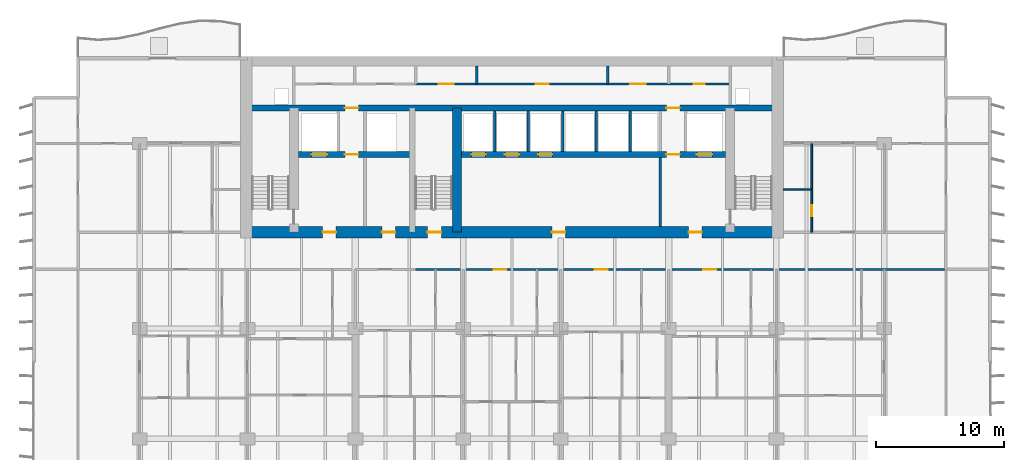
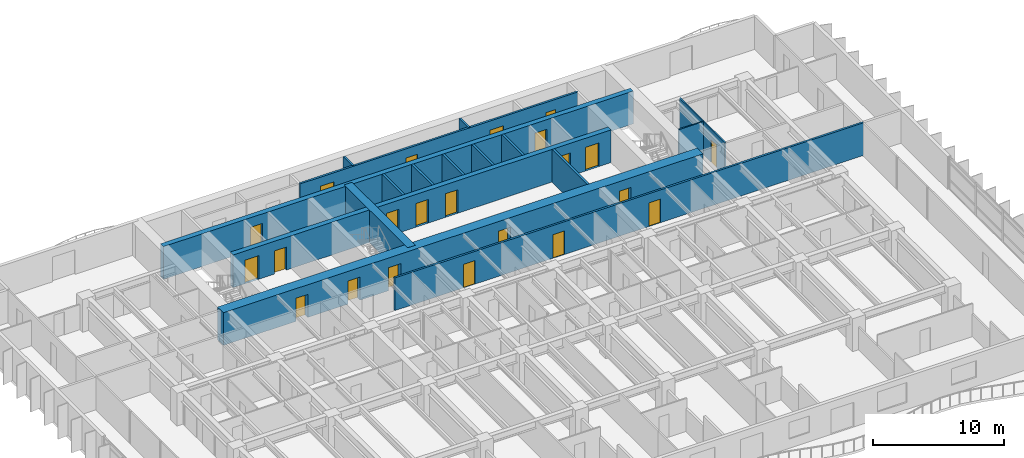
# One storey, part 11 of 18: 22 doors, 16 walls, 22 openings.
"""IFC4 building model written with IfcOpenShell, lengths in metres."""

from ifc_helpers import new_model, si_unit, direction, frame, frame_2d, origin, place, context, subcontext, project, spatial, rectangle, extrude, material, layer, layer_set, type_object, element, fill, save


model = new_model("IFC4")

# Units and contexts
model_context = context("Model", 3, precision=1e-05, world=origin(), true_north=direction((0.0, 1.0)))
body_context = subcontext(model_context, "Body", "Model", "MODEL_VIEW")
ifc_project = project(units=[si_unit("LENGTHUNIT", "METRE"), si_unit("AREAUNIT", "SQUARE_METRE"), si_unit("VOLUMEUNIT", "CUBIC_METRE"), si_unit("PLANEANGLEUNIT", "RADIAN"), si_unit("MASSUNIT", "GRAM", prefix="KILO")], contexts=[model_context])

# Site, building, storey
site_placement = place(None, origin())
site = spatial("IfcSite", under=ifc_project, at=site_placement, CompositionType="ELEMENT")
building_placement = place(site_placement, origin())
building = spatial("IfcBuilding", under=site, at=building_placement, Name="Caelmar Bay Residences", CompositionType="ELEMENT")
storey_placement = place(building_placement, frame((0.0, 0.0, 43.199951171875)))
storey = spatial("IfcBuildingStorey", under=building, at=storey_placement, Name="L10", CompositionType="ELEMENT", Elevation=43.199951171875)

# Wall
ifc_material_1 = material(Name="Concrete f'c 55 MPa (8,000 psi)", Category="concrete")
ifc_layer_1 = layer(ifc_material_1, 0.699951171875)
ifc_layer_set_1 = layer_set([ifc_layer_1], Name="Concrete f'c 55 MPa (8,000 psi)")
wall_type_1 = type_object("IfcWallType", Name="SW-COR-700", PredefinedType="SHEAR", material=ifc_layer_set_1)
wall_1_placement = place(storey_placement, frame((34.60009765625, 36.89990234375, 0.0), z_axis=(0.0, 0.0, 1.0), x_axis=(0.0, 1.0, 0.0)))
element("IfcWall", 1, at=wall_1_placement, inside=storey, type_object=wall_type_1, Name="L10 Core Structural Web Wall ST3E", PredefinedType="SHEAR", context=body_context, shape_type="SweptSolid", body=[
    extrude(rectangle(XDim=9.675048828125, YDim=0.699951171875, at=frame_2d((4.83740234375, 0.0))), origin(), (0.0, 0.0, 1.0), 3.050048828125),
])

# Wall, openings, doors
ifc_material_2 = material(Name="Concrete f'c 70 MPa (10,000 psi)", Category="concrete")
ifc_layer_2 = layer(ifc_material_2, 0.89990234375)
ifc_layer_set_2 = layer_set([ifc_layer_2], Name="Concrete f'c 70 MPa (10,000 psi)")
wall_type_2 = type_object("IfcWallType", Name="SW-COR-900", PredefinedType="SHEAR", material=ifc_layer_set_2)
wall_2_placement = place(storey_placement, frame((17.75, 36.89990234375, 0.0), z_axis=(0.0, 0.0, 1.0), x_axis=(1.0, 0.0, 0.0)))
wall_2 = element("IfcWall", 2, at=wall_2_placement, inside=storey, type_object=wall_type_2, Name="L10 Rear Core South Shear Wall", PredefinedType="SHEAR", context=body_context, shape_type="SweptSolid", body=[
    extrude(rectangle(XDim=42.300048828125, YDim=0.89990234375, at=frame_2d((21.14990234375, 0.0))), origin(), (0.0, 0.0, 1.0), 3.050048828125),
])
opening_1_placement = place(wall_2_placement, frame((14.550048828125, 0.0, 0.0)))
opening_1 = element("IfcOpeningElement", 3, at=opening_1_placement, cuts=wall_2, Name="Opening D-L10-106", PredefinedType="OPENING", context=body_context, shape_type="SweptSolid", body=[
    extrude(rectangle(XDim=1.10009765625, YDim=2.14990234375, at=frame_2d((0.550048828125, 1.074951171875))), frame((0.0, 0.4599609375, 0.0), z_axis=(0.0, -1.0, 0.0), x_axis=(1.0, 0.0, 0.0)), (0.0, 0.0, 1.0), 0.919921875),
])
opening_2_placement = place(wall_2_placement, frame((6.39990234375, 0.0, 0.0)))
opening_2 = element("IfcOpeningElement", 4, at=opening_2_placement, cuts=wall_2, Name="Opening D-L10-107", PredefinedType="OPENING", context=body_context, shape_type="SweptSolid", body=[
    extrude(rectangle(XDim=1.050048828125, YDim=2.14990234375, at=frame_2d((0.52490234375, 1.074951171875))), frame((0.0, 0.4599609375, 0.0), z_axis=(0.0, -1.0, 0.0), x_axis=(1.0, 0.0, 0.0)), (0.0, 0.0, 1.0), 0.919921875),
])
opening_3_placement = place(wall_2_placement, frame((34.89990234375, 0.0, 0.0)))
opening_3 = element("IfcOpeningElement", 5, at=opening_3_placement, cuts=wall_2, Name="Opening D-L10-110", PredefinedType="OPENING", context=body_context, shape_type="SweptSolid", body=[
    extrude(rectangle(XDim=1.050048828125, YDim=2.14990234375, at=frame_2d((0.52490234375, 1.074951171875))), frame((0.0, 0.4599609375, 0.0), z_axis=(0.0, -1.0, 0.0), x_axis=(1.0, 0.0, 0.0)), (0.0, 0.0, 1.0), 0.919921875),
])
opening_4_placement = place(wall_2_placement, frame((11.012451171875, 0.0, 0.0)))
opening_4 = element("IfcOpeningElement", 6, at=opening_4_placement, cuts=wall_2, Name="Opening D-L10-113", PredefinedType="OPENING", context=body_context, shape_type="SweptSolid", body=[
    extrude(rectangle(XDim=1.050048828125, YDim=2.14990234375, at=frame_2d((0.52490234375, 1.074951171875))), frame((0.0, 0.4599609375, 0.0), z_axis=(0.0, -1.0, 0.0), x_axis=(1.0, 0.0, 0.0)), (0.0, 0.0, 1.0), 0.919921875),
])
opening_5_placement = place(wall_2_placement, frame((24.25, 0.0, 0.0)))
opening_5 = element("IfcOpeningElement", 7, at=opening_5_placement, cuts=wall_2, Name="Opening D-L10-114", PredefinedType="OPENING", context=body_context, shape_type="SweptSolid", body=[
    extrude(rectangle(XDim=1.050048828125, YDim=2.14990234375, at=frame_2d((0.52490234375, 1.074951171875))), frame((0.0, 0.4599609375, 0.0), z_axis=(0.0, -1.0, 0.0), x_axis=(1.0, 0.0, 0.0)), (0.0, 0.0, 1.0), 0.919921875),
])
ifc_material_3 = material(Name="Fire-rated steel and walnut architectural door assembly", Category="steel")
ifc_layer_3 = layer(ifc_material_3, 0.050048828125)
ifc_layer_set_3 = layer_set([ifc_layer_3], Name="Fire-rated steel and walnut architectural door assembly")
door_type_1 = type_object("IfcDoorType", Name="D-FSAE-1050", OperationType="NOTDEFINED", PredefinedType="DOOR", material=ifc_layer_set_3)
door_1_placement = place(opening_2_placement, origin())
door_1 = element("IfcDoor", 8, at=door_1_placement, inside=storey, type_object=door_type_1, Name="L10 Firefighting Lobby West Door", OperationType="SINGLE_SWING_RIGHT", OverallHeight=2.14990234375, OverallWidth=1.050048828125, PredefinedType="DOOR", context=body_context, shape_type="SweptSolid", body=[
    extrude(rectangle(XDim=1.050048828125, YDim=2.14990234375, at=frame_2d((0.52490234375, 1.074951171875))), frame((0.0, 0.02490234375, 0.0), z_axis=(0.0, -1.0, 0.0), x_axis=(1.0, 0.0, 0.0)), (0.0, 0.0, 1.0), 0.050048828125),
])
fill(opening_2, door_1)
door_2_placement = place(opening_3_placement, origin())
door_2 = element("IfcDoor", 9, at=door_2_placement, inside=storey, type_object=door_type_1, Name="L10 Firefighting Lobby East Door", OperationType="SINGLE_SWING_LEFT", OverallHeight=2.14990234375, OverallWidth=1.050048828125, PredefinedType="DOOR", context=body_context, shape_type="SweptSolid", body=[
    extrude(rectangle(XDim=1.050048828125, YDim=2.14990234375, at=frame_2d((0.52490234375, 1.074951171875))), frame((0.0, 0.02490234375, 0.0), z_axis=(0.0, -1.0, 0.0), x_axis=(1.0, 0.0, 0.0)), (0.0, 0.0, 1.0), 0.050048828125),
])
fill(opening_3, door_2)
door_3_placement = place(opening_4_placement, origin())
door_3 = element("IfcDoor", 10, at=door_3_placement, inside=storey, type_object=door_type_1, Name="L10 West Lift Lobby Door", OperationType="SINGLE_SWING_RIGHT", OverallHeight=2.14990234375, OverallWidth=1.050048828125, PredefinedType="DOOR", context=body_context, shape_type="SweptSolid", body=[
    extrude(rectangle(XDim=1.050048828125, YDim=2.14990234375, at=frame_2d((0.52490234375, 1.074951171875))), frame((0.0, 0.02490234375, 0.0), z_axis=(0.0, -1.0, 0.0), x_axis=(1.0, 0.0, 0.0)), (0.0, 0.0, 1.0), 0.050048828125),
])
fill(opening_4, door_3)
door_4_placement = place(opening_5_placement, origin())
door_4 = element("IfcDoor", 11, at=door_4_placement, inside=storey, type_object=door_type_1, Name="L10 Passenger Lift Lobby Door", OperationType="SINGLE_SWING_LEFT", OverallHeight=2.14990234375, OverallWidth=1.050048828125, PredefinedType="DOOR", context=body_context, shape_type="SweptSolid", body=[
    extrude(rectangle(XDim=1.050048828125, YDim=2.14990234375, at=frame_2d((0.52490234375, 1.074951171875))), frame((0.0, 0.02490234375, 0.0), z_axis=(0.0, -1.0, 0.0), x_axis=(1.0, 0.0, 0.0)), (0.0, 0.0, 1.0), 0.050048828125),
])
fill(opening_5, door_4)
ifc_layer_4 = layer(ifc_material_3, 0.050048828125)
ifc_layer_set_4 = layer_set([ifc_layer_4], Name="Fire-rated steel and walnut architectural door assembly")
door_type_2 = type_object("IfcDoorType", Name="D-STAIR-1100", OperationType="NOTDEFINED", PredefinedType="DOOR", material=ifc_layer_set_4)
door_5_placement = place(opening_1_placement, origin())
door_5 = element("IfcDoor", 12, at=door_5_placement, inside=storey, type_object=door_type_2, Name="L10 Exit Stair ST3 Door", OperationType="SINGLE_SWING_LEFT", OverallHeight=2.14990234375, OverallWidth=1.10009765625, PredefinedType="DOOR", context=body_context, shape_type="SweptSolid", body=[
    extrude(rectangle(XDim=1.10009765625, YDim=2.14990234375, at=frame_2d((0.550048828125, 1.074951171875))), frame((0.0, 0.02490234375, 0.0), z_axis=(0.0, -1.0, 0.0), x_axis=(1.0, 0.0, 0.0)), (0.0, 0.0, 1.0), 0.050048828125),
])
fill(opening_1, door_5)

ifc_layer_5 = layer(ifc_material_2, 0.449951171875)
ifc_layer_set_5 = layer_set([ifc_layer_5], Name="Concrete f'c 70 MPa (10,000 psi)")
wall_type_3 = type_object("IfcWallType", Name="SW-WEB-450", PredefinedType="SHEAR", material=ifc_layer_set_5)
wall_3_placement = place(storey_placement, frame((22.25, 42.949951171875, 0.0), z_axis=(0.0, 0.0, 1.0), x_axis=(1.0, 0.0, 0.0)))
wall_3 = element("IfcWall", 13, at=wall_3_placement, inside=storey, type_object=wall_type_3, Name="L10 Core Structural Web Wall LFR", PredefinedType="SHEAR", context=body_context, shape_type="SweptSolid", body=[
    extrude(rectangle(XDim=33.300048828125, YDim=0.449951171875, at=frame_2d((16.64990234375, 0.0))), origin(), (0.0, 0.0, 1.0), 3.050048828125),
])
opening_6_placement = place(wall_3_placement, frame((1.050048828125, 0.0, 0.0)))
opening_6 = element("IfcOpeningElement", 14, at=opening_6_placement, cuts=wall_3, Name="Opening LD2", PredefinedType="OPENING", context=body_context, shape_type="SweptSolid", body=[
    extrude(rectangle(XDim=1.199951171875, YDim=2.199951171875, at=frame_2d((0.60009765625, 1.10009765625))), frame((0.0, 0.23486328125, 0.0), z_axis=(0.0, -1.0, 0.0), x_axis=(1.0, 0.0, 0.0)), (0.0, 0.0, 1.0), 0.469970703125),
])
opening_7_placement = place(wall_3_placement, frame((31.050048828125, 0.0, 0.0)))
opening_7 = element("IfcOpeningElement", 15, at=opening_7_placement, cuts=wall_3, Name="Opening LD2", PredefinedType="OPENING", context=body_context, shape_type="SweptSolid", body=[
    extrude(rectangle(XDim=1.199951171875, YDim=2.199951171875, at=frame_2d((0.60009765625, 1.10009765625))), frame((0.0, 0.23486328125, 0.0), z_axis=(0.0, -1.0, 0.0), x_axis=(1.0, 0.0, 0.0)), (0.0, 0.0, 1.0), 0.469970703125),
])
opening_8_placement = place(wall_3_placement, frame((13.5, 0.0, 0.0)))
opening_8 = element("IfcOpeningElement", 16, at=opening_8_placement, cuts=wall_3, Name="Opening LD1", PredefinedType="OPENING", context=body_context, shape_type="SweptSolid", body=[
    extrude(rectangle(XDim=1.10009765625, YDim=2.199951171875, at=frame_2d((0.550048828125, 1.10009765625))), frame((0.0, 0.23486328125, 0.0), z_axis=(0.0, -1.0, 0.0), x_axis=(1.0, 0.0, 0.0)), (0.0, 0.0, 1.0), 0.469970703125),
])
opening_9_placement = place(wall_3_placement, frame((16.10009765625, 0.0, 0.0)))
opening_9 = element("IfcOpeningElement", 17, at=opening_9_placement, cuts=wall_3, Name="Opening LD1", PredefinedType="OPENING", context=body_context, shape_type="SweptSolid", body=[
    extrude(rectangle(XDim=1.10009765625, YDim=2.199951171875, at=frame_2d((0.550048828125, 1.10009765625))), frame((0.0, 0.23486328125, 0.0), z_axis=(0.0, -1.0, 0.0), x_axis=(1.0, 0.0, 0.0)), (0.0, 0.0, 1.0), 0.469970703125),
])
opening_10_placement = place(wall_3_placement, frame((18.699951171875, 0.0, 0.0)))
opening_10 = element("IfcOpeningElement", 18, at=opening_10_placement, cuts=wall_3, Name="Opening LD1", PredefinedType="OPENING", context=body_context, shape_type="SweptSolid", body=[
    extrude(rectangle(XDim=1.10009765625, YDim=2.199951171875, at=frame_2d((0.550048828125, 1.10009765625))), frame((0.0, 0.23486328125, 0.0), z_axis=(0.0, -1.0, 0.0), x_axis=(1.0, 0.0, 0.0)), (0.0, 0.0, 1.0), 0.469970703125),
])
opening_11_placement = place(wall_3_placement, frame((3.625, 0.0, 0.0)))
opening_11 = element("IfcOpeningElement", 19, at=opening_11_placement, cuts=wall_3, Name="Opening D-L10-109", PredefinedType="OPENING", context=body_context, shape_type="SweptSolid", body=[
    extrude(rectangle(XDim=1.050048828125, YDim=2.14990234375, at=frame_2d((0.52490234375, 1.074951171875))), frame((0.0, 0.23486328125, 0.0), z_axis=(0.0, -1.0, 0.0), x_axis=(1.0, 0.0, 0.0)), (0.0, 0.0, 1.0), 0.469970703125),
])
opening_12_placement = place(wall_3_placement, frame((28.675048828125, 0.0, 0.0)))
opening_12 = element("IfcOpeningElement", 20, at=opening_12_placement, cuts=wall_3, Name="Opening D-L10-112", PredefinedType="OPENING", context=body_context, shape_type="SweptSolid", body=[
    extrude(rectangle(XDim=1.050048828125, YDim=2.14990234375, at=frame_2d((0.52490234375, 1.074951171875))), frame((0.0, 0.23486328125, 0.0), z_axis=(0.0, -1.0, 0.0), x_axis=(1.0, 0.0, 0.0)), (0.0, 0.0, 1.0), 0.469970703125),
])
door_6_placement = place(opening_11_placement, origin())
door_6 = element("IfcDoor", 21, at=door_6_placement, inside=storey, type_object=door_type_1, Name="L10 Firefighting Lobby West Door", OperationType="SINGLE_SWING_RIGHT", OverallHeight=2.14990234375, OverallWidth=1.050048828125, PredefinedType="DOOR", context=body_context, shape_type="SweptSolid", body=[
    extrude(rectangle(XDim=1.050048828125, YDim=2.14990234375, at=frame_2d((0.52490234375, 1.074951171875))), frame((0.0, 0.02490234375, 0.0), z_axis=(0.0, -1.0, 0.0), x_axis=(1.0, 0.0, 0.0)), (0.0, 0.0, 1.0), 0.050048828125),
])
fill(opening_11, door_6)
door_7_placement = place(opening_12_placement, origin())
door_7 = element("IfcDoor", 22, at=door_7_placement, inside=storey, type_object=door_type_1, Name="L10 Firefighting Lobby East Door", OperationType="SINGLE_SWING_LEFT", OverallHeight=2.14990234375, OverallWidth=1.050048828125, PredefinedType="DOOR", context=body_context, shape_type="SweptSolid", body=[
    extrude(rectangle(XDim=1.050048828125, YDim=2.14990234375, at=frame_2d((0.52490234375, 1.074951171875))), frame((0.0, 0.02490234375, 0.0), z_axis=(0.0, -1.0, 0.0), x_axis=(1.0, 0.0, 0.0)), (0.0, 0.0, 1.0), 0.050048828125),
])
fill(opening_12, door_7)
ifc_material_4 = material(Name="Brushed bronze stainless-steel fire-rated lift landing doors", Category="steel")
ifc_layer_6 = layer(ifc_material_4, 0.050048828125)
ifc_layer_set_6 = layer_set([ifc_layer_6], Name="Brushed bronze stainless-steel fire-rated lift landing doors")
door_type_3 = type_object("IfcDoorType", Name="D-LND-1100", OperationType="DOUBLE_DOOR_SLIDING", PredefinedType="DOOR", material=ifc_layer_set_6)
door_8_placement = place(opening_8_placement, origin())
door_8 = element("IfcDoor", 23, at=door_8_placement, inside=storey, type_object=door_type_3, Name="L10 LP1 Sliding Landing Door", OperationType="DOUBLE_DOOR_SLIDING", OverallHeight=2.199951171875, OverallWidth=1.10009765625, PredefinedType="DOOR", context=body_context, shape_type="SweptSolid", body=[
    extrude(rectangle(XDim=1.10009765625, YDim=2.199951171875, at=frame_2d((0.550048828125, 1.10009765625))), frame((0.0, 0.02490234375, 0.0), z_axis=(0.0, -1.0, 0.0), x_axis=(1.0, 0.0, 0.0)), (0.0, 0.0, 1.0), 0.050048828125),
])
fill(opening_8, door_8)
door_9_placement = place(opening_9_placement, origin())
door_9 = element("IfcDoor", 24, at=door_9_placement, inside=storey, type_object=door_type_3, Name="L10 LP2 Sliding Landing Door", OperationType="DOUBLE_DOOR_SLIDING", OverallHeight=2.199951171875, OverallWidth=1.10009765625, PredefinedType="DOOR", context=body_context, shape_type="SweptSolid", body=[
    extrude(rectangle(XDim=1.10009765625, YDim=2.199951171875, at=frame_2d((0.550048828125, 1.10009765625))), frame((0.0, 0.02490234375, 0.0), z_axis=(0.0, -1.0, 0.0), x_axis=(1.0, 0.0, 0.0)), (0.0, 0.0, 1.0), 0.050048828125),
])
fill(opening_9, door_9)
door_10_placement = place(opening_10_placement, origin())
door_10 = element("IfcDoor", 25, at=door_10_placement, inside=storey, type_object=door_type_3, Name="L10 LP3 Sliding Landing Door", OperationType="DOUBLE_DOOR_SLIDING", OverallHeight=2.199951171875, OverallWidth=1.10009765625, PredefinedType="DOOR", context=body_context, shape_type="SweptSolid", body=[
    extrude(rectangle(XDim=1.10009765625, YDim=2.199951171875, at=frame_2d((0.550048828125, 1.10009765625))), frame((0.0, 0.02490234375, 0.0), z_axis=(0.0, -1.0, 0.0), x_axis=(1.0, 0.0, 0.0)), (0.0, 0.0, 1.0), 0.050048828125),
])
fill(opening_10, door_10)
ifc_material_5 = material(Name="Brushed stainless-steel FSAE sliding landing door", Category="steel")
ifc_layer_7 = layer(ifc_material_5, 0.050048828125)
ifc_layer_set_7 = layer_set([ifc_layer_7], Name="Brushed stainless-steel FSAE sliding landing door")
door_type_4 = type_object("IfcDoorType", Name="D-LND-1200", OperationType="DOUBLE_DOOR_SLIDING", PredefinedType="DOOR", material=ifc_layer_set_7)
door_11_placement = place(opening_6_placement, origin())
door_11 = element("IfcDoor", 26, at=door_11_placement, inside=storey, type_object=door_type_4, Name="L10 LF1 Sliding Landing Door", OperationType="DOUBLE_DOOR_SLIDING", OverallHeight=2.199951171875, OverallWidth=1.199951171875, PredefinedType="DOOR", context=body_context, shape_type="SweptSolid", body=[
    extrude(rectangle(XDim=1.199951171875, YDim=2.199951171875, at=frame_2d((0.60009765625, 1.10009765625))), frame((0.0, 0.02490234375, 0.0), z_axis=(0.0, -1.0, 0.0), x_axis=(1.0, 0.0, 0.0)), (0.0, 0.0, 1.0), 0.050048828125),
])
fill(opening_6, door_11)
door_12_placement = place(opening_7_placement, origin())
door_12 = element("IfcDoor", 27, at=door_12_placement, inside=storey, type_object=door_type_4, Name="L10 LF2 Sliding Landing Door", OperationType="DOUBLE_DOOR_SLIDING", OverallHeight=2.199951171875, OverallWidth=1.199951171875, PredefinedType="DOOR", context=body_context, shape_type="SweptSolid", body=[
    extrude(rectangle(XDim=1.199951171875, YDim=2.199951171875, at=frame_2d((0.60009765625, 1.10009765625))), frame((0.0, 0.02490234375, 0.0), z_axis=(0.0, -1.0, 0.0), x_axis=(1.0, 0.0, 0.0)), (0.0, 0.0, 1.0), 0.050048828125),
])
fill(opening_7, door_12)

wall_4_placement = place(storey_placement, frame((18.199951171875, 46.574951171875, 0.0), z_axis=(0.0, 0.0, 1.0), x_axis=(1.0, 0.0, 0.0)))
wall_4 = element("IfcWall", 28, at=wall_4_placement, inside=storey, type_object=wall_type_3, Name="L10 Core Structural Web Wall SRVS", PredefinedType="SHEAR", context=body_context, shape_type="SweptSolid", body=[
    extrude(rectangle(XDim=41.400146484375, YDim=0.449951171875, at=frame_2d((20.7001953125, 0.0))), origin(), (0.0, 0.0, 1.0), 3.050048828125),
])
opening_13_placement = place(wall_4_placement, frame((7.675048828125, 0.0, 0.0)))
opening_13 = element("IfcOpeningElement", 29, at=opening_13_placement, cuts=wall_4, Name="Opening D-L10-115", PredefinedType="OPENING", context=body_context, shape_type="SweptSolid", body=[
    extrude(rectangle(XDim=1.050048828125, YDim=2.14990234375, at=frame_2d((0.52490234375, 1.074951171875))), frame((0.0, 0.23486328125, 0.0), z_axis=(0.0, -1.0, 0.0), x_axis=(1.0, 0.0, 0.0)), (0.0, 0.0, 1.0), 0.469970703125),
])
opening_14_placement = place(wall_4_placement, frame((32.72509765625, 0.0, 0.0)))
opening_14 = element("IfcOpeningElement", 30, at=opening_14_placement, cuts=wall_4, Name="Opening D-L10-116", PredefinedType="OPENING", context=body_context, shape_type="SweptSolid", body=[
    extrude(rectangle(XDim=1.050048828125, YDim=2.14990234375, at=frame_2d((0.52490234375, 1.074951171875))), frame((0.0, 0.23486328125, 0.0), z_axis=(0.0, -1.0, 0.0), x_axis=(1.0, 0.0, 0.0)), (0.0, 0.0, 1.0), 0.469970703125),
])
door_13_placement = place(opening_13_placement, origin())
door_13 = element("IfcDoor", 31, at=door_13_placement, inside=storey, type_object=door_type_1, Name="L10 Core Service Corridor Door", OperationType="SINGLE_SWING_RIGHT", OverallHeight=2.14990234375, OverallWidth=1.050048828125, PredefinedType="DOOR", context=body_context, shape_type="SweptSolid", body=[
    extrude(rectangle(XDim=1.050048828125, YDim=2.14990234375, at=frame_2d((0.52490234375, 1.074951171875))), frame((0.0, 0.02490234375, 0.0), z_axis=(0.0, -1.0, 0.0), x_axis=(1.0, 0.0, 0.0)), (0.0, 0.0, 1.0), 0.050048828125),
])
fill(opening_13, door_13)
door_14_placement = place(opening_14_placement, origin())
door_14 = element("IfcDoor", 32, at=door_14_placement, inside=storey, type_object=door_type_1, Name="L10 Core Service Corridor Door", OperationType="SINGLE_SWING_LEFT", OverallHeight=2.14990234375, OverallWidth=1.050048828125, PredefinedType="DOOR", context=body_context, shape_type="SweptSolid", body=[
    extrude(rectangle(XDim=1.050048828125, YDim=2.14990234375, at=frame_2d((0.52490234375, 1.074951171875))), frame((0.0, 0.02490234375, 0.0), z_axis=(0.0, -1.0, 0.0), x_axis=(1.0, 0.0, 0.0)), (0.0, 0.0, 1.0), 0.050048828125),
])
fill(opening_14, door_14)

# Walls
ifc_material_6 = material(Name="Double-stud acoustic fire-rated gypsum partition 180 mm")
ifc_layer_8 = layer(ifc_material_6, 0.179931640625)
ifc_layer_set_8 = layer_set([ifc_layer_8], Name="Double-stud acoustic fire-rated gypsum partition 180 mm")
wall_type_4 = type_object("IfcWallType", Name="W-COR-200", PredefinedType="PARTITIONING", material=ifc_layer_set_8)
for number, where, z_axis, x_axis, name in (
    (33, (36.14990234375, 48.449951171875, 0.0), (0.0, 0.0, 1.0), (0.0, 1.0, 0.0), "L10 Partition Wall V051"),
    (34, (46.35009765625, 48.449951171875, 0.0), (0.0, 0.0, 1.0), (0.0, 1.0, 0.0), "L10 Partition Wall V069"),
):
    element("IfcWall", number, at=place(storey_placement, frame(where, z_axis=z_axis, x_axis=x_axis)), inside=storey, type_object=wall_type_4, Name=name, PredefinedType="PARTITIONING", context=body_context, shape_type="SweptSolid", body=[
        extrude(rectangle(XDim=1.405029296875, YDim=0.179931640625, at=frame_2d((0.70263671875, 0.0))), origin(), (0.0, 0.0, 1.0), 3.050048828125),
    ])

# Wall, openings, doors
wall_5_placement = place(storey_placement, frame((31.39990234375, 34.0, 0.0), z_axis=(0.0, 0.0, 1.0), x_axis=(1.0, 0.0, 0.0)))
wall_5 = element("IfcWall", 35, at=wall_5_placement, inside=storey, type_object=wall_type_4, Name="L10 Partition Wall H137", PredefinedType="PARTITIONING", context=body_context, shape_type="SweptSolid", body=[
    extrude(rectangle(XDim=41.300048828125, YDim=0.179931640625, at=frame_2d((20.64990234375, 0.0))), origin(), (0.0, 0.0, 1.0), 3.050048828125),
])
opening_15_placement = place(wall_5_placement, frame((6.070068359375, 0.0, 0.0)))
opening_15 = element("IfcOpeningElement", 36, at=opening_15_placement, cuts=wall_5, Name="Opening D-L10-141", PredefinedType="OPENING", context=body_context, shape_type="SweptSolid", body=[
    extrude(rectangle(XDim=1.0, YDim=2.199951171875, at=frame_2d((0.5, 1.10009765625))), frame((0.0, 0.099853515625, 0.0), z_axis=(0.0, -1.0, 0.0), x_axis=(1.0, 0.0, 0.0)), (0.0, 0.0, 1.0), 0.199951171875),
])
opening_16_placement = place(wall_5_placement, frame((13.944580078125, 0.0, 0.0)))
opening_16 = element("IfcOpeningElement", 37, at=opening_16_placement, cuts=wall_5, Name="Opening D-L10-148", PredefinedType="OPENING", context=body_context, shape_type="SweptSolid", body=[
    extrude(rectangle(XDim=1.0, YDim=2.199951171875, at=frame_2d((0.5, 1.10009765625))), frame((0.0, 0.099853515625, 0.0), z_axis=(0.0, -1.0, 0.0), x_axis=(1.0, 0.0, 0.0)), (0.0, 0.0, 1.0), 0.199951171875),
])
opening_17_placement = place(wall_5_placement, frame((22.41357421875, 0.0, 0.0)))
opening_17 = element("IfcOpeningElement", 38, at=opening_17_placement, cuts=wall_5, Name="Opening D-L10-155", PredefinedType="OPENING", context=body_context, shape_type="SweptSolid", body=[
    extrude(rectangle(XDim=1.0, YDim=2.199951171875, at=frame_2d((0.5, 1.10009765625))), frame((0.0, 0.099853515625, 0.0), z_axis=(0.0, -1.0, 0.0), x_axis=(1.0, 0.0, 0.0)), (0.0, 0.0, 1.0), 0.199951171875),
])
ifc_layer_9 = layer(ifc_material_3, 0.050048828125)
ifc_layer_set_9 = layer_set([ifc_layer_9], Name="Fire-rated steel and walnut architectural door assembly")
door_type_5 = type_object("IfcDoorType", Name="D-UNIT-1000", OperationType="NOTDEFINED", PredefinedType="DOOR", material=ifc_layer_set_9)
door_15_placement = place(opening_15_placement, origin())
door_15 = element("IfcDoor", 39, at=door_15_placement, inside=storey, type_object=door_type_5, Name="L10 Residence 03 Apartment Hall Door", OperationType="SINGLE_SWING_RIGHT", OverallHeight=2.199951171875, OverallWidth=1.0, PredefinedType="DOOR", context=body_context, shape_type="SweptSolid", body=[
    extrude(rectangle(XDim=1.0, YDim=2.199951171875, at=frame_2d((0.5, 1.10009765625))), frame((0.0, 0.02490234375, 0.0), z_axis=(0.0, -1.0, 0.0), x_axis=(1.0, 0.0, 0.0)), (0.0, 0.0, 1.0), 0.050048828125),
])
fill(opening_15, door_15)
door_16_placement = place(opening_16_placement, origin())
door_16 = element("IfcDoor", 40, at=door_16_placement, inside=storey, type_object=door_type_5, Name="L10 Residence 04 Apartment Hall Door", OperationType="SINGLE_SWING_LEFT", OverallHeight=2.199951171875, OverallWidth=1.0, PredefinedType="DOOR", context=body_context, shape_type="SweptSolid", body=[
    extrude(rectangle(XDim=1.0, YDim=2.199951171875, at=frame_2d((0.5, 1.10009765625))), frame((0.0, 0.02490234375, 0.0), z_axis=(0.0, -1.0, 0.0), x_axis=(1.0, 0.0, 0.0)), (0.0, 0.0, 1.0), 0.050048828125),
])
fill(opening_16, door_16)
door_17_placement = place(opening_17_placement, origin())
door_17 = element("IfcDoor", 41, at=door_17_placement, inside=storey, type_object=door_type_5, Name="L10 Residence 05 Apartment Hall Door", OperationType="SINGLE_SWING_RIGHT", OverallHeight=2.199951171875, OverallWidth=1.0, PredefinedType="DOOR", context=body_context, shape_type="SweptSolid", body=[
    extrude(rectangle(XDim=1.0, YDim=2.199951171875, at=frame_2d((0.5, 1.10009765625))), frame((0.0, 0.02490234375, 0.0), z_axis=(0.0, -1.0, 0.0), x_axis=(1.0, 0.0, 0.0)), (0.0, 0.0, 1.0), 0.050048828125),
])
fill(opening_17, door_17)

wall_6_placement = place(storey_placement, frame((31.39990234375, 48.449951171875, 0.0), z_axis=(0.0, 0.0, 1.0), x_axis=(1.0, 0.0, 0.0)))
wall_6 = element("IfcWall", 42, at=wall_6_placement, inside=storey, type_object=wall_type_4, Name="L10 Partition Wall H147", PredefinedType="PARTITIONING", context=body_context, shape_type="SweptSolid", body=[
    extrude(rectangle(XDim=24.5, YDim=0.179931640625, at=frame_2d((12.25, 0.0))), origin(), (0.0, 0.0, 1.0), 3.050048828125),
])
opening_18_placement = place(wall_6_placement, frame((1.77490234375, 0.0, 0.0)))
opening_18 = element("IfcOpeningElement", 43, at=opening_18_placement, cuts=wall_6, Name="Opening D-L10-119", PredefinedType="OPENING", context=body_context, shape_type="SweptSolid", body=[
    extrude(rectangle(XDim=1.199951171875, YDim=2.199951171875, at=frame_2d((0.60009765625, 1.10009765625))), frame((0.0, 0.099853515625, 0.0), z_axis=(0.0, -1.0, 0.0), x_axis=(1.0, 0.0, 0.0)), (0.0, 0.0, 1.0), 0.199951171875),
])
opening_19_placement = place(wall_6_placement, frame((9.35009765625, 0.0, 0.0)))
opening_19 = element("IfcOpeningElement", 44, at=opening_19_placement, cuts=wall_6, Name="Opening D-L10-120", PredefinedType="OPENING", context=body_context, shape_type="SweptSolid", body=[
    extrude(rectangle(XDim=1.0, YDim=2.199951171875, at=frame_2d((0.5, 1.10009765625))), frame((0.0, 0.099853515625, 0.0), z_axis=(0.0, -1.0, 0.0), x_axis=(1.0, 0.0, 0.0)), (0.0, 0.0, 1.0), 0.199951171875),
])
opening_20_placement = place(wall_6_placement, frame((16.72509765625, 0.0, 0.0)))
opening_20 = element("IfcOpeningElement", 45, at=opening_20_placement, cuts=wall_6, Name="Opening D-L10-121", PredefinedType="OPENING", context=body_context, shape_type="SweptSolid", body=[
    extrude(rectangle(XDim=1.199951171875, YDim=2.199951171875, at=frame_2d((0.60009765625, 1.10009765625))), frame((0.0, 0.099853515625, 0.0), z_axis=(0.0, -1.0, 0.0), x_axis=(1.0, 0.0, 0.0)), (0.0, 0.0, 1.0), 0.199951171875),
])
opening_21_placement = place(wall_6_placement, frame((21.675048828125, 0.0, 0.0)))
opening_21 = element("IfcOpeningElement", 46, at=opening_21_placement, cuts=wall_6, Name="Opening D-L10-122", PredefinedType="OPENING", context=body_context, shape_type="SweptSolid", body=[
    extrude(rectangle(XDim=0.85009765625, YDim=2.10009765625, at=frame_2d((0.425048828125, 1.050048828125))), frame((0.0, 0.099853515625, 0.0), z_axis=(0.0, -1.0, 0.0), x_axis=(1.0, 0.0, 0.0)), (0.0, 0.0, 1.0), 0.199951171875),
])
ifc_layer_10 = layer(ifc_material_3, 0.050048828125)
ifc_layer_set_10 = layer_set([ifc_layer_10], Name="Fire-rated steel and walnut architectural door assembly")
door_type_6 = type_object("IfcDoorType", Name="D-CORE-850", OperationType="NOTDEFINED", PredefinedType="DOOR", material=ifc_layer_set_10)
door_18_placement = place(opening_21_placement, origin())
door_18 = element("IfcDoor", 47, at=door_18_placement, inside=storey, type_object=door_type_6, Name="L10 Staff Restroom Door", OperationType="SINGLE_SWING_LEFT", OverallHeight=2.10009765625, OverallWidth=0.85009765625, PredefinedType="DOOR", context=body_context, shape_type="SweptSolid", body=[
    extrude(rectangle(XDim=0.85009765625, YDim=2.10009765625, at=frame_2d((0.425048828125, 1.050048828125))), frame((0.0, 0.02490234375, 0.0), z_axis=(0.0, -1.0, 0.0), x_axis=(1.0, 0.0, 0.0)), (0.0, 0.0, 1.0), 0.050048828125),
])
fill(opening_21, door_18)
ifc_layer_11 = layer(ifc_material_3, 0.050048828125)
ifc_layer_set_11 = layer_set([ifc_layer_11], Name="Fire-rated steel and walnut architectural door assembly")
door_type_7 = type_object("IfcDoorType", Name="D-PLANT-1200", OperationType="NOTDEFINED", PredefinedType="DOOR", material=ifc_layer_set_11)
door_19_placement = place(opening_18_placement, origin())
door_19 = element("IfcDoor", 48, at=door_19_placement, inside=storey, type_object=door_type_7, Name="L10 Low-Voltage Data Closet Door", OperationType="SINGLE_SWING_RIGHT", OverallHeight=2.199951171875, OverallWidth=1.199951171875, PredefinedType="DOOR", context=body_context, shape_type="SweptSolid", body=[
    extrude(rectangle(XDim=1.199951171875, YDim=2.199951171875, at=frame_2d((0.60009765625, 1.10009765625))), frame((0.0, 0.02490234375, 0.0), z_axis=(0.0, -1.0, 0.0), x_axis=(1.0, 0.0, 0.0)), (0.0, 0.0, 1.0), 0.050048828125),
])
fill(opening_18, door_19)
door_20_placement = place(opening_20_placement, origin())
door_20 = element("IfcDoor", 49, at=door_20_placement, inside=storey, type_object=door_type_7, Name="L10 Valet Trunk Closet Door", OperationType="SINGLE_SWING_RIGHT", OverallHeight=2.199951171875, OverallWidth=1.199951171875, PredefinedType="DOOR", context=body_context, shape_type="SweptSolid", body=[
    extrude(rectangle(XDim=1.199951171875, YDim=2.199951171875, at=frame_2d((0.60009765625, 1.10009765625))), frame((0.0, 0.02490234375, 0.0), z_axis=(0.0, -1.0, 0.0), x_axis=(1.0, 0.0, 0.0)), (0.0, 0.0, 1.0), 0.050048828125),
])
fill(opening_20, door_20)
door_21_placement = place(opening_19_placement, origin())
door_21 = element("IfcDoor", 50, at=door_21_placement, inside=storey, type_object=door_type_5, Name="L10 Mail Sorting Office Door", OperationType="SINGLE_SWING_LEFT", OverallHeight=2.199951171875, OverallWidth=1.0, PredefinedType="DOOR", context=body_context, shape_type="SweptSolid", body=[
    extrude(rectangle(XDim=1.0, YDim=2.199951171875, at=frame_2d((0.5, 1.10009765625))), frame((0.0, 0.02490234375, 0.0), z_axis=(0.0, -1.0, 0.0), x_axis=(1.0, 0.0, 0.0)), (0.0, 0.0, 1.0), 0.050048828125),
])
fill(opening_19, door_21)

# Walls
ifc_material_7 = material(Name="Fire-rated masonry and gypsum shaftliner assembly 200 mm", Category="masonry")
ifc_layer_12 = layer(ifc_material_7, 0.199951171875)
ifc_layer_set_12 = layer_set([ifc_layer_12], Name="Fire-rated masonry and gypsum shaftliner assembly 200 mm")
wall_type_5 = type_object("IfcWallType", Name="W-FSAE-200", PredefinedType="PARTITIONING", material=ifc_layer_set_12)
for number, where, z_axis, x_axis, name in (
    (51, (37.550048828125, 43.169921875, 0.0), (0.0, 0.0, 1.0), (0.0, 1.0, 0.0), "L10 Partition Wall V052"),
    (52, (40.14990234375, 43.169921875, 0.0), (0.0, 0.0, 1.0), (0.0, 1.0, 0.0), "L10 Partition Wall V059"),
    (53, (42.85009765625, 43.169921875, 0.0), (0.0, 0.0, 1.0), (0.0, 1.0, 0.0), "L10 Partition Wall V067"),
    (54, (45.449951171875, 43.169921875, 0.0), (0.0, 0.0, 1.0), (0.0, 1.0, 0.0), "L10 Partition Wall V068"),
    (55, (48.10009765625, 43.169921875, 0.0), (0.0, 0.0, 1.0), (0.0, 1.0, 0.0), "L10 Partition Wall V076"),
):
    element("IfcWall", number, at=place(storey_placement, frame(where, z_axis=z_axis, x_axis=x_axis)), inside=storey, type_object=wall_type_5, Name=name, PredefinedType="PARTITIONING", context=body_context, shape_type="SweptSolid", body=[
        extrude(rectangle(XDim=3.18505859375, YDim=0.199951171875, at=frame_2d((1.592529296875, 0.0))), origin(), (0.0, 0.0, 1.0), 3.050048828125),
    ])
wall_7_placement = place(storey_placement, frame((50.449951171875, 37.344970703125, 0.0), z_axis=(0.0, 0.0, 1.0), x_axis=(0.0, 1.0, 0.0)))
element("IfcWall", 56, at=wall_7_placement, inside=storey, type_object=wall_type_5, Name="L10 Partition Wall V078", PredefinedType="PARTITIONING", context=body_context, shape_type="SweptSolid", body=[
    extrude(rectangle(XDim=5.385009765625, YDim=0.199951171875, at=frame_2d((2.6923828125, 0.0))), origin(), (0.0, 0.0, 1.0), 3.050048828125),
])

# Wall, opening, door
ifc_material_8 = material(Name="Acoustic metal-stud gypsum partition 120 mm")
ifc_layer_13 = layer(ifc_material_8, 0.1201171875)
ifc_layer_set_13 = layer_set([ifc_layer_13], Name="Acoustic metal-stud gypsum partition 120 mm")
wall_type_6 = type_object("IfcWallType", Name="W-PRT-120", PredefinedType="PARTITIONING", material=ifc_layer_set_13)
wall_8_placement = place(storey_placement, frame((62.25, 36.89990234375, 0.0), z_axis=(0.0, 0.0, 1.0), x_axis=(0.0, 1.0, 0.0)))
wall_8 = element("IfcWall", 57, at=wall_8_placement, inside=storey, type_object=wall_type_6, Name="L10 Partition Wall V096", PredefinedType="PARTITIONING", context=body_context, shape_type="SweptSolid", body=[
    extrude(rectangle(XDim=6.900146484375, YDim=0.1201171875, at=frame_2d((3.4501953125, 0.0))), origin(), (0.0, 0.0, 1.0), 3.050048828125),
])
opening_22_placement = place(wall_8_placement, frame((1.23095703125, 0.0, 0.0)))
opening_22 = element("IfcOpeningElement", 58, at=opening_22_placement, cuts=wall_8, Name="Opening D-L10-178", PredefinedType="OPENING", context=body_context, shape_type="SweptSolid", body=[
    extrude(rectangle(XDim=0.85009765625, YDim=2.10009765625, at=frame_2d((0.425048828125, 1.050048828125))), frame((0.0, 0.070068359375, 0.0), z_axis=(0.0, -1.0, 0.0), x_axis=(1.0, 0.0, 0.0)), (0.0, 0.0, 1.0), 0.14013671875),
])
ifc_material_9 = material(Name="Solid walnut timber interior door leaf and frame", Category="wood")
ifc_layer_14 = layer(ifc_material_9, 0.050048828125)
ifc_layer_set_14 = layer_set([ifc_layer_14], Name="Solid walnut timber interior door leaf and frame")
door_type_8 = type_object("IfcDoorType", Name="D-BATH-850", OperationType="NOTDEFINED", PredefinedType="DOOR", material=ifc_layer_set_14)
door_22_placement = place(opening_22_placement, origin())
door_22 = element("IfcDoor", 59, at=door_22_placement, inside=storey, type_object=door_type_8, Name="L10 Residence EA Walk-In Closet Door", OperationType="SINGLE_SWING_LEFT", OverallHeight=2.10009765625, OverallWidth=0.85009765625, PredefinedType="DOOR", context=body_context, shape_type="SweptSolid", body=[
    extrude(rectangle(XDim=0.85009765625, YDim=2.10009765625, at=frame_2d((0.425048828125, 1.050048828125))), frame((0.0, 0.02490234375, 0.0), z_axis=(0.0, -1.0, 0.0), x_axis=(1.0, 0.0, 0.0)), (0.0, 0.0, 1.0), 0.050048828125),
])
fill(opening_22, door_22)

# Wall
wall_9_placement = place(storey_placement, frame((60.044921875, 40.2119140625, 0.0), z_axis=(0.0, 0.0, 1.0), x_axis=(1.0, 0.0, 0.0)))
element("IfcWall", 60, at=wall_9_placement, inside=storey, type_object=wall_type_6, Name="L10 Partition Wall H142", PredefinedType="PARTITIONING", context=body_context, shape_type="SweptSolid", body=[
    extrude(rectangle(XDim=2.205078125, YDim=0.1201171875, at=frame_2d((1.1025390625, 0.0))), origin(), (0.0, 0.0, 1.0), 3.050048828125),
])

save(model, "model.ifc")
